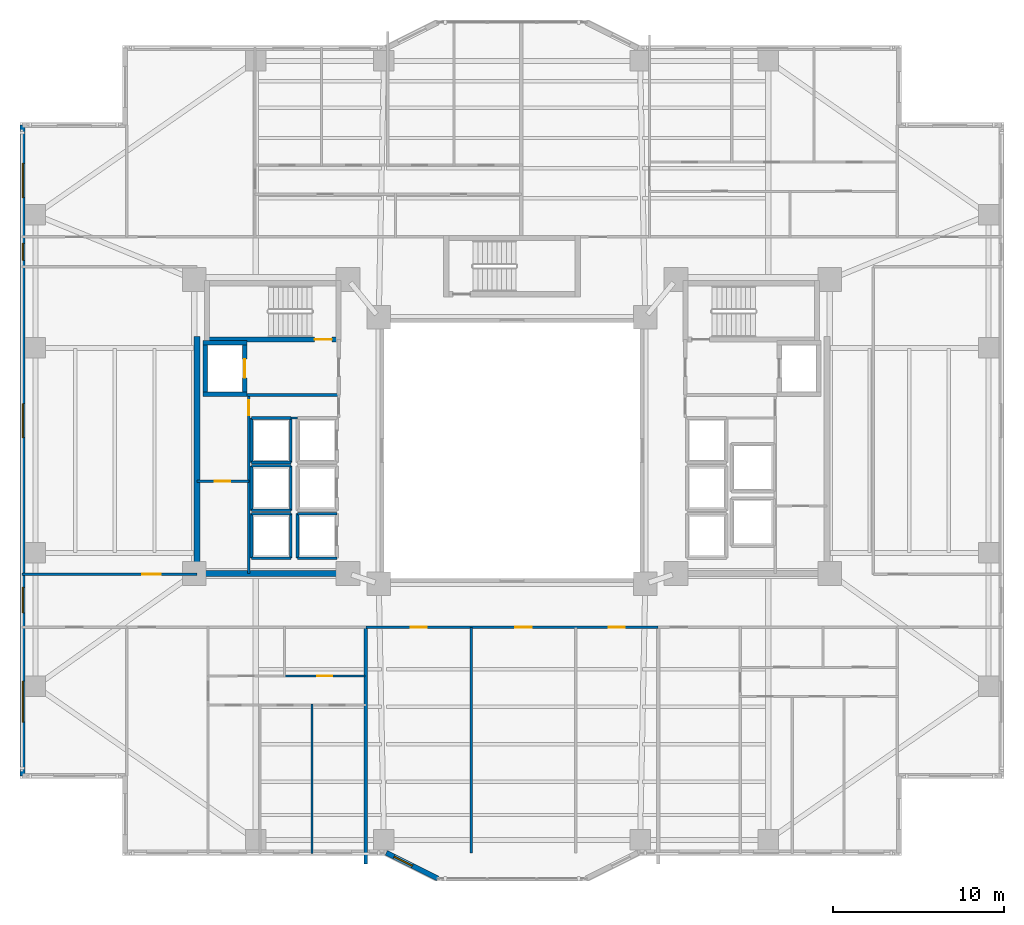
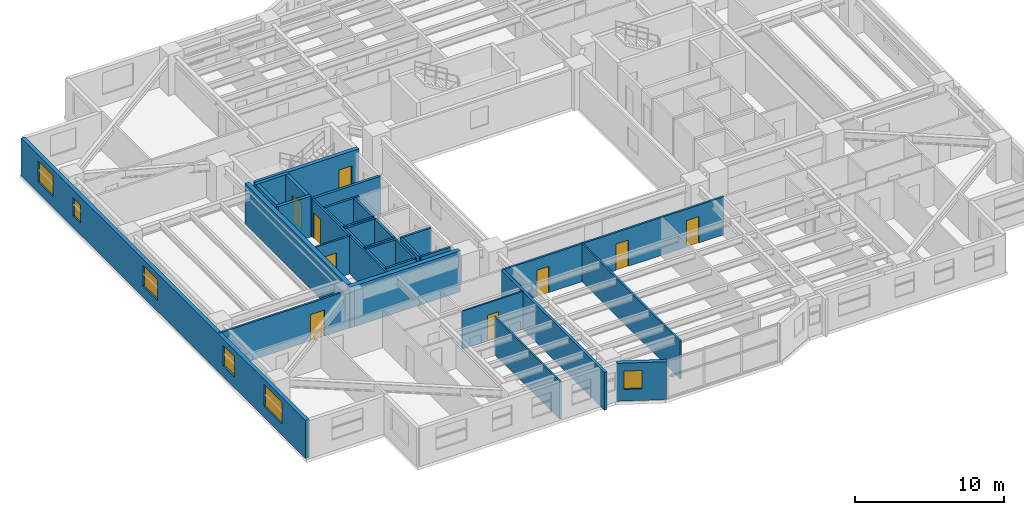
# One storey, part 10 of 20: 34 walls, 9 doors, 6 windows, 15 openings.
"""IFC4 building model written with IfcOpenShell, lengths in metres."""

from ifc_helpers import new_model, si_unit, direction, frame, frame_2d, origin, place, context, subcontext, project, spatial, rectangle, extrude, material, layer, layer_set, type_object, element, fill, save


model = new_model("IFC4")

# Units and contexts
model_context = context("Model", 3, precision=1e-05, world=origin(), true_north=direction((0.0, 1.0)))
body_context = subcontext(model_context, "Body", "Model", "MODEL_VIEW")
ifc_project = project(units=[si_unit("LENGTHUNIT", "METRE"), si_unit("AREAUNIT", "SQUARE_METRE"), si_unit("VOLUMEUNIT", "CUBIC_METRE"), si_unit("PLANEANGLEUNIT", "RADIAN"), si_unit("MASSUNIT", "GRAM", prefix="KILO")], contexts=[model_context])

# Site, building, storey
site_placement = place(None, origin())
site = spatial("IfcSite", under=ifc_project, at=site_placement, CompositionType="ELEMENT")
building_placement = place(site_placement, origin())
building = spatial("IfcBuilding", under=site, at=building_placement, Name="Tarnavaz Court Tower", CompositionType="ELEMENT")
storey_placement = place(building_placement, frame((0.0, 0.0, 34.050048828125)))
storey = spatial("IfcBuildingStorey", under=building, at=storey_placement, Name="L08", CompositionType="ELEMENT", Elevation=34.050048828125)

# Wall
ifc_material_1 = material(Name="Concrete C60/75", Category="concrete")
ifc_layer_1 = layer(ifc_material_1, 0.25)
ifc_layer_set_1 = layer_set([ifc_layer_1], Name="Concrete C60/75")
wall_type_1 = type_object("IfcWallType", Name="WL-CORE-250-C60", PredefinedType="SHEAR", material=ifc_layer_set_1)
wall_1_placement = place(storey_placement, frame((-17.949951171875, 3.175048828125, 0.0), z_axis=(0.0, 0.0, 1.0), x_axis=(0.0, 1.0, 0.0)))
element("IfcWall", 1, at=wall_1_placement, inside=storey, type_object=wall_type_1, Name="L08 Lift FL-W1 Shaft Wall 017", PredefinedType="SHEAR", context=body_context, shape_type="SweptSolid", body=[
    extrude(rectangle(XDim=3.25, YDim=0.25, at=frame_2d((1.625, 0.0))), origin(), (0.0, 0.0, 1.0), 3.349853515625),
])

# Wall, opening, door
wall_2_placement = place(storey_placement, frame((-15.64990234375, 3.175048828125, 0.0), z_axis=(0.0, 0.0, 1.0), x_axis=(0.0, 1.0, 0.0)))
wall_2 = element("IfcWall", 2, at=wall_2_placement, inside=storey, type_object=wall_type_1, Name="L08 Lift FL-W1 Shaft Wall 018", PredefinedType="SHEAR", context=body_context, shape_type="SweptSolid", body=[
    extrude(rectangle(XDim=3.25, YDim=0.25, at=frame_2d((1.625, 0.0))), origin(), (0.0, 0.0, 1.0), 3.349853515625),
])
opening_1_placement = place(wall_2_placement, frame((1.074951171875, 0.0, 0.0)))
opening_1 = element("IfcOpeningElement", 3, at=opening_1_placement, cuts=wall_2, Name="Opening LD1", PredefinedType="OPENING", context=body_context, shape_type="SweptSolid", body=[
    extrude(rectangle(XDim=1.10009765625, YDim=2.14990234375, at=frame_2d((0.550048828125, 1.074951171875))), frame((0.0, 0.135009765625, 0.0), z_axis=(0.0, -1.0, 0.0), x_axis=(1.0, 0.0, 0.0)), (0.0, 0.0, 1.0), 0.27001953125),
])
ifc_material_2 = material(Name="Stainless Steel", Category="steel")
door_type_1 = type_object("IfcDoorType", Name="DR-LD-1100", OperationType="NOTDEFINED", PredefinedType="DOOR", material=ifc_material_2)
door_1_placement = place(opening_1_placement, origin())
door_1 = element("IfcDoor", 4, at=door_1_placement, inside=storey, type_object=door_type_1, Name="L08 Lift Landing Door LD-FL-W1", OperationType="SLIDING_TO_LEFT", OverallHeight=2.14990234375, OverallWidth=1.10009765625, PredefinedType="DOOR", context=body_context, shape_type="SweptSolid", body=[
    extrude(rectangle(XDim=1.10009765625, YDim=2.14990234375, at=frame_2d((0.550048828125, 1.074951171875))), frame((0.0, 0.02490234375, 0.0), z_axis=(0.0, -1.0, 0.0), x_axis=(1.0, 0.0, 0.0)), (0.0, 0.0, 1.0), 0.050048828125),
])
fill(opening_1, door_1)

# Walls
for number, where, z_axis, x_axis, name in (
    (5, (-18.074951171875, 3.300048828125, 0.0), (0.0, 0.0, 1.0), (1.0, 0.0, 0.0), "L08 Lift FL-W1 Shaft Wall 019"),
    (6, (-18.074951171875, 6.300048828125, 0.0), (0.0, 0.0, 1.0), (1.0, 0.0, 0.0), "L08 Lift FL-W1 Shaft Wall 020"),
):
    element("IfcWall", number, at=place(storey_placement, frame(where, z_axis=z_axis, x_axis=x_axis)), inside=storey, type_object=wall_type_1, Name=name, PredefinedType="SHEAR", context=body_context, shape_type="SweptSolid", body=[
        extrude(rectangle(XDim=2.550048828125, YDim=0.25, at=frame_2d((1.27490234375, 0.0))), origin(), (0.0, 0.0, 1.0), 3.349853515625),
    ])

# Wall, opening, door
ifc_layer_2 = layer(ifc_material_1, 0.300048828125)
ifc_layer_set_2 = layer_set([ifc_layer_2], Name="Concrete C60/75")
wall_type_2 = type_object("IfcWallType", Name="WL-CORE-300-C60", PredefinedType="SHEAR", material=ifc_layer_set_2)
wall_3_placement = place(storey_placement, frame((-18.0, 6.5, 0.0), z_axis=(0.0, 0.0, 1.0), x_axis=(1.0, 0.0, 0.0)))
wall_3 = element("IfcWall", 7, at=wall_3_placement, inside=storey, type_object=wall_type_2, Name="L08 West Stair Core Wall 002", PredefinedType="SHEAR", context=body_context, shape_type="SweptSolid", body=[
    extrude(rectangle(XDim=8.0, YDim=0.300048828125, at=frame_2d((4.0, 0.0))), origin(), (0.0, 0.0, 1.0), 3.349853515625),
])
opening_2_placement = place(wall_3_placement, frame((6.449951171875, 0.0, 0.0)))
opening_2 = element("IfcOpeningElement", 8, at=opening_2_placement, cuts=wall_3, Name="Opening D01", PredefinedType="OPENING", context=body_context, shape_type="SweptSolid", body=[
    extrude(rectangle(XDim=1.0, YDim=2.14990234375, at=frame_2d((0.5, 1.074951171875))), frame((0.0, 0.159912109375, 0.0), z_axis=(0.0, -1.0, 0.0), x_axis=(1.0, 0.0, 0.0)), (0.0, 0.0, 1.0), 0.320068359375),
])
ifc_material_3 = material(Name="Fire-Rated Hardwood Timber Core", Category="wood")
door_type_2 = type_object("IfcDoorType", Name="DR-FD90-1000", OperationType="NOTDEFINED", PredefinedType="DOOR", material=ifc_material_3)
door_2_placement = place(opening_2_placement, origin())
door_2 = element("IfcDoor", 9, at=door_2_placement, inside=storey, type_object=door_type_2, Name="L08 Stair ST-W1 Exit Door", OperationType="SINGLE_SWING_LEFT", OverallHeight=2.14990234375, OverallWidth=1.0, PredefinedType="DOOR", context=body_context, shape_type="SweptSolid", body=[
    extrude(rectangle(XDim=1.0, YDim=2.14990234375, at=frame_2d((0.5, 1.074951171875))), frame((0.0, 0.02490234375, 0.0), z_axis=(0.0, -1.0, 0.0), x_axis=(1.0, 0.0, 0.0)), (0.0, 0.0, 1.0), 0.050048828125),
])
fill(opening_2, door_2)

# Walls
ifc_layer_3 = layer(ifc_material_1, 0.35009765625)
ifc_layer_set_3 = layer_set([ifc_layer_3], Name="Concrete C60/75")
wall_type_3 = type_object("IfcWallType", Name="WL-CORE-350-C60", PredefinedType="SHEAR", material=ifc_layer_set_3)
wall_4_placement = place(storey_placement, frame((-18.449951171875, -7.375, 0.0), z_axis=(0.0, 0.0, 1.0), x_axis=(0.0, 1.0, 0.0)))
element("IfcWall", 10, at=wall_4_placement, inside=storey, type_object=wall_type_3, Name="L08 West Core Shear Wall 069", PredefinedType="SHEAR", context=body_context, shape_type="SweptSolid", body=[
    extrude(rectangle(XDim=14.050048828125, YDim=0.35009765625, at=frame_2d((7.02490234375, 0.0))), origin(), (0.0, 0.0, 1.0), 3.349853515625),
])
wall_5_placement = place(storey_placement, frame((-18.625, -7.199951171875, 0.0), z_axis=(0.0, 0.0, 1.0), x_axis=(1.0, 0.0, 0.0)))
element("IfcWall", 11, at=wall_5_placement, inside=storey, type_object=wall_type_3, Name="L08 West Core South Shear Wall 070", PredefinedType="SHEAR", context=body_context, shape_type="SweptSolid", body=[
    extrude(rectangle(XDim=8.550048828125, YDim=0.35009765625, at=frame_2d((4.27490234375, 0.0))), origin(), (0.0, 0.0, 1.0), 3.349853515625),
])

# Wall, openings, windows
ifc_material_4 = material(Name="Precast Concrete C40/50", Category="concrete")
ifc_layer_4 = layer(ifc_material_4, 0.300048828125)
ifc_layer_set_4 = layer_set([ifc_layer_4], Name="Precast Concrete C40/50")
wall_type_4 = type_object("IfcWallType", Name="WL-EXT-300", PredefinedType="SOLIDWALL", material=ifc_layer_set_4)
wall_6_placement = place(storey_placement, frame((-28.64990234375, -19.050048828125, 0.0), z_axis=(0.0, 0.0, 1.0), x_axis=(0.0, 1.0, 0.0)))
wall_6 = element("IfcWall", 12, at=wall_6_placement, inside=storey, type_object=wall_type_4, Name="L08 Exterior Terracotta Facade Wall 02", PredefinedType="SOLIDWALL", context=body_context, shape_type="SweptSolid", body=[
    extrude(rectangle(XDim=38.10009765625, YDim=0.300048828125, at=frame_2d((19.050048828125, 0.0))), origin(), (0.0, 0.0, 1.0), 3.099853515625),
])
opening_3_placement = place(wall_6_placement, frame((3.14990234375, 0.0, 0.89990234375)))
opening_3 = element("IfcOpeningElement", 13, at=opening_3_placement, cuts=wall_6, Name="Opening W06", PredefinedType="OPENING", context=body_context, shape_type="SweptSolid", body=[
    extrude(rectangle(XDim=2.39990234375, YDim=1.800048828125, at=frame_2d((1.199951171875, 0.89990234375))), frame((0.0, 0.159912109375, 0.0), z_axis=(0.0, -1.0, 0.0), x_axis=(1.0, 0.0, 0.0)), (0.0, 0.0, 1.0), 0.320068359375),
])
opening_4_placement = place(wall_6_placement, frame((9.54248046875, 0.0, 0.89990234375)))
opening_4 = element("IfcOpeningElement", 14, at=opening_4_placement, cuts=wall_6, Name="Opening W03", PredefinedType="OPENING", context=body_context, shape_type="SweptSolid", body=[
    extrude(rectangle(XDim=1.5, YDim=1.64990234375, at=frame_2d((0.75, 0.824951171875))), frame((0.0, 0.159912109375, 0.0), z_axis=(0.0, -1.0, 0.0), x_axis=(1.0, 0.0, 0.0)), (0.0, 0.0, 1.0), 0.320068359375),
])
opening_5_placement = place(wall_6_placement, frame((19.800048828125, 0.0, 0.89990234375)))
opening_5 = element("IfcOpeningElement", 15, at=opening_5_placement, cuts=wall_6, Name="Opening W08", PredefinedType="OPENING", context=body_context, shape_type="SweptSolid", body=[
    extrude(rectangle(XDim=2.0, YDim=1.699951171875, at=frame_2d((1.0, 0.85009765625))), frame((0.0, 0.159912109375, 0.0), z_axis=(0.0, -1.0, 0.0), x_axis=(1.0, 0.0, 0.0)), (0.0, 0.0, 1.0), 0.320068359375),
])
opening_6_placement = place(wall_6_placement, frame((30.175048828125, 0.0, 0.949951171875)))
opening_6 = element("IfcOpeningElement", 16, at=opening_6_placement, cuts=wall_6, Name="Opening W14", PredefinedType="OPENING", context=body_context, shape_type="SweptSolid", body=[
    extrude(rectangle(XDim=1.0, YDim=1.5, at=frame_2d((0.5, 0.75))), frame((0.0, 0.159912109375, 0.0), z_axis=(0.0, -1.0, 0.0), x_axis=(1.0, 0.0, 0.0)), (0.0, 0.0, 1.0), 0.320068359375),
])
opening_7_placement = place(wall_6_placement, frame((33.85009765625, 0.0, 0.89990234375)))
opening_7 = element("IfcOpeningElement", 17, at=opening_7_placement, cuts=wall_6, Name="Opening W08", PredefinedType="OPENING", context=body_context, shape_type="SweptSolid", body=[
    extrude(rectangle(XDim=2.0, YDim=1.699951171875, at=frame_2d((1.0, 0.85009765625))), frame((0.0, 0.159912109375, 0.0), z_axis=(0.0, -1.0, 0.0), x_axis=(1.0, 0.0, 0.0)), (0.0, 0.0, 1.0), 0.320068359375),
])
ifc_material_5 = material(Name="Double-Glazed Solar Low-E Glass", Category="glass")
window_type_1 = type_object("IfcWindowType", Name="WN-APT-1000", PartitioningType="SINGLE_PANEL", PredefinedType="WINDOW", material=ifc_material_5)
window_1_placement = place(opening_6_placement, origin())
window_1 = element("IfcWindow", 18, at=window_1_placement, inside=storey, type_object=window_type_1, Name="L08 North-West Corner Corridor Window", OverallHeight=1.5, OverallWidth=1.0, PartitioningType="SINGLE_PANEL", PredefinedType="WINDOW", context=body_context, shape_type="SweptSolid", body=[
    extrude(rectangle(XDim=1.0, YDim=1.5, at=frame_2d((0.5, 0.75))), frame((0.0, 0.030029296875, 0.0), z_axis=(0.0, -1.0, 0.0), x_axis=(1.0, 0.0, 0.0)), (0.0, 0.0, 1.0), 0.06005859375),
])
fill(opening_6, window_1)
window_type_2 = type_object("IfcWindowType", Name="WN-APT-1500", PartitioningType="DOUBLE_PANEL_VERTICAL", PredefinedType="WINDOW", material=ifc_material_5)
window_2_placement = place(opening_4_placement, origin())
window_2 = element("IfcWindow", 19, at=window_2_placement, inside=storey, type_object=window_type_2, Name="L08 South-West Corner Corridor Window", OverallHeight=1.64990234375, OverallWidth=1.5, PartitioningType="SINGLE_PANEL", PredefinedType="WINDOW", context=body_context, shape_type="SweptSolid", body=[
    extrude(rectangle(XDim=1.5, YDim=1.64990234375, at=frame_2d((0.75, 0.824951171875))), frame((0.0, 0.030029296875, 0.0), z_axis=(0.0, -1.0, 0.0), x_axis=(1.0, 0.0, 0.0)), (0.0, 0.0, 1.0), 0.06005859375),
])
fill(opening_4, window_2)
window_type_3 = type_object("IfcWindowType", Name="WN-APT-2000", PartitioningType="DOUBLE_PANEL_VERTICAL", PredefinedType="WINDOW", material=ifc_material_5)
window_3_placement = place(opening_5_placement, origin())
window_3 = element("IfcWindow", 20, at=window_3_placement, inside=storey, type_object=window_type_3, Name="L08 West Wing Panoramic Study Gallery Window", OverallHeight=1.699951171875, OverallWidth=2.0, PartitioningType="SINGLE_PANEL", PredefinedType="WINDOW", context=body_context, shape_type="SweptSolid", body=[
    extrude(rectangle(XDim=2.0, YDim=1.699951171875, at=frame_2d((1.0, 0.85009765625))), frame((0.0, 0.030029296875, 0.0), z_axis=(0.0, -1.0, 0.0), x_axis=(1.0, 0.0, 0.0)), (0.0, 0.0, 1.0), 0.06005859375),
])
fill(opening_5, window_3)
window_4_placement = place(opening_7_placement, origin())
window_4 = element("IfcWindow", 21, at=window_4_placement, inside=storey, type_object=window_type_3, Name="L08 North-West Corner Sunroom Study Window", OverallHeight=1.699951171875, OverallWidth=2.0, PartitioningType="SINGLE_PANEL", PredefinedType="WINDOW", context=body_context, shape_type="SweptSolid", body=[
    extrude(rectangle(XDim=2.0, YDim=1.699951171875, at=frame_2d((1.0, 0.85009765625))), frame((0.0, 0.030029296875, 0.0), z_axis=(0.0, -1.0, 0.0), x_axis=(1.0, 0.0, 0.0)), (0.0, 0.0, 1.0), 0.06005859375),
])
fill(opening_7, window_4)
window_type_4 = type_object("IfcWindowType", Name="WN-APT-2400", PartitioningType="TRIPLE_PANEL_VERTICAL", PredefinedType="WINDOW", material=ifc_material_5)
window_5_placement = place(opening_3_placement, origin())
window_5 = element("IfcWindow", 22, at=window_5_placement, inside=storey, type_object=window_type_4, Name="L08 South-West Corner Reading Room Window", OverallHeight=1.800048828125, OverallWidth=2.39990234375, PartitioningType="SINGLE_PANEL", PredefinedType="WINDOW", context=body_context, shape_type="SweptSolid", body=[
    extrude(rectangle(XDim=2.39990234375, YDim=1.800048828125, at=frame_2d((1.199951171875, 0.89990234375))), frame((0.0, 0.030029296875, 0.0), z_axis=(0.0, -1.0, 0.0), x_axis=(1.0, 0.0, 0.0)), (0.0, 0.0, 1.0), 0.06005859375),
])
fill(opening_3, window_5)

# Wall, opening, window
wall_7_placement = place(storey_placement, frame((-4.35009765625, -25.050048828125, 0.0), z_axis=(0.0, 0.0, 1.0), x_axis=(-0.894427191, 0.4472135955, 0.0)))
wall_7 = element("IfcWall", 23, at=wall_7_placement, inside=storey, type_object=wall_type_4, Name="L08 Exterior Terracotta Facade Wall 18", PredefinedType="SOLIDWALL", context=body_context, shape_type="SweptSolid", body=[
    extrude(rectangle(XDim=3.35400390625, YDim=0.300048828125, at=frame_2d((1.677001953125, 0.0))), origin(), (0.0, 0.0, 1.0), 3.099853515625),
])
opening_8_placement = place(wall_7_placement, frame((1.65283203125, 0.0, 0.949951171875)))
opening_8 = element("IfcOpeningElement", 24, at=opening_8_placement, cuts=wall_7, Name="Opening W05", PredefinedType="OPENING", context=body_context, shape_type="SweptSolid", body=[
    extrude(rectangle(XDim=1.199951171875, YDim=1.5, at=frame_2d((0.60009765625, 0.75))), frame((0.0, 0.159912109375, 0.0), z_axis=(0.0, -1.0, 0.0), x_axis=(1.0, 0.0, 0.0)), (0.0, 0.0, 1.0), 0.320068359375),
])
window_type_5 = type_object("IfcWindowType", Name="WN-APT-1200", PartitioningType="SINGLE_PANEL", PredefinedType="WINDOW", material=ifc_material_5)
window_6_placement = place(opening_8_placement, origin())
window_6 = element("IfcWindow", 25, at=window_6_placement, inside=storey, type_object=window_type_5, Name="L08 Resident Fitness and Yoga Studio Window", OverallHeight=1.5, OverallWidth=1.199951171875, PartitioningType="SINGLE_PANEL", PredefinedType="WINDOW", context=body_context, shape_type="SweptSolid", body=[
    extrude(rectangle(XDim=1.199951171875, YDim=1.5, at=frame_2d((0.60009765625, 0.75))), frame((0.0, 0.030029296875, 0.0), z_axis=(0.0, -1.0, 0.0), x_axis=(1.0, 0.0, 0.0)), (0.0, 0.0, 1.0), 0.06005859375),
])
fill(opening_8, window_6)

# Wall, openings, doors
ifc_material_6 = material(Name="Gypsum Fire-Board on Acoustic Metal Stud", Category="masonry")
ifc_layer_5 = layer(ifc_material_6, 0.14990234375)
ifc_layer_set_5 = layer_set([ifc_layer_5], Name="Gypsum Fire-Board on Acoustic Metal Stud")
wall_type_5 = type_object("IfcWallType", Name="WL-FIRE-150", PredefinedType="PARTITIONING", material=ifc_layer_set_5)
wall_8_placement = place(storey_placement, frame((-8.550048828125, -10.35009765625, 0.0), z_axis=(0.0, 0.0, 1.0), x_axis=(1.0, 0.0, 0.0)))
wall_8 = element("IfcWall", 26, at=wall_8_placement, inside=storey, type_object=wall_type_5, Name="L08 South Ring Corridor Wall 085", PredefinedType="PARTITIONING", context=body_context, shape_type="SweptSolid", body=[
    extrude(rectangle(XDim=17.10009765625, YDim=0.14990234375, at=frame_2d((8.550048828125, 0.0))), origin(), (0.0, 0.0, 1.0), 3.099853515625),
])
opening_9_placement = place(wall_8_placement, frame((2.617919921875, 0.0, 0.0)))
opening_9 = element("IfcOpeningElement", 27, at=opening_9_placement, cuts=wall_8, Name="Opening D13", PredefinedType="OPENING", context=body_context, shape_type="SweptSolid", body=[
    extrude(rectangle(XDim=0.949951171875, YDim=2.14990234375, at=frame_2d((0.47509765625, 1.074951171875))), frame((0.0, 0.0849609375, 0.0), z_axis=(0.0, -1.0, 0.0), x_axis=(1.0, 0.0, 0.0)), (0.0, 0.0, 1.0), 0.169921875),
])
opening_10_placement = place(wall_8_placement, frame((8.75390625, 0.0, 0.0)))
opening_10 = element("IfcOpeningElement", 28, at=opening_10_placement, cuts=wall_8, Name="Opening D13", PredefinedType="OPENING", context=body_context, shape_type="SweptSolid", body=[
    extrude(rectangle(XDim=0.949951171875, YDim=2.14990234375, at=frame_2d((0.47509765625, 1.074951171875))), frame((0.0, 0.0849609375, 0.0), z_axis=(0.0, -1.0, 0.0), x_axis=(1.0, 0.0, 0.0)), (0.0, 0.0, 1.0), 0.169921875),
])
opening_11_placement = place(wall_8_placement, frame((14.2109375, 0.0, 0.0)))
opening_11 = element("IfcOpeningElement", 29, at=opening_11_placement, cuts=wall_8, Name="Opening D13", PredefinedType="OPENING", context=body_context, shape_type="SweptSolid", body=[
    extrude(rectangle(XDim=0.949951171875, YDim=2.14990234375, at=frame_2d((0.47509765625, 1.074951171875))), frame((0.0, 0.0849609375, 0.0), z_axis=(0.0, -1.0, 0.0), x_axis=(1.0, 0.0, 0.0)), (0.0, 0.0, 1.0), 0.169921875),
])
ifc_material_7 = material(Name="Engineered Oak Timber", Category="wood")
door_type_3 = type_object("IfcDoorType", Name="DR-INT-950", OperationType="NOTDEFINED", PredefinedType="DOOR", material=ifc_material_7)
door_3_placement = place(opening_9_placement, origin())
door_3 = element("IfcDoor", 30, at=door_3_placement, inside=storey, type_object=door_type_3, Name="L08 Resident Fitness and Yoga Studio Door", OperationType="SINGLE_SWING_RIGHT", OverallHeight=2.14990234375, OverallWidth=0.949951171875, PredefinedType="DOOR", context=body_context, shape_type="SweptSolid", body=[
    extrude(rectangle(XDim=0.949951171875, YDim=2.14990234375, at=frame_2d((0.47509765625, 1.074951171875))), frame((0.0, 0.02490234375, 0.0), z_axis=(0.0, -1.0, 0.0), x_axis=(1.0, 0.0, 0.0)), (0.0, 0.0, 1.0), 0.050048828125),
])
fill(opening_9, door_3)
door_4_placement = place(opening_10_placement, origin())
door_4 = element("IfcDoor", 31, at=door_4_placement, inside=storey, type_object=door_type_3, Name="L08 Children Playroom and Daycare Door", OperationType="SINGLE_SWING_LEFT", OverallHeight=2.14990234375, OverallWidth=0.949951171875, PredefinedType="DOOR", context=body_context, shape_type="SweptSolid", body=[
    extrude(rectangle(XDim=0.949951171875, YDim=2.14990234375, at=frame_2d((0.47509765625, 1.074951171875))), frame((0.0, 0.02490234375, 0.0), z_axis=(0.0, -1.0, 0.0), x_axis=(1.0, 0.0, 0.0)), (0.0, 0.0, 1.0), 0.050048828125),
])
fill(opening_10, door_4)
door_5_placement = place(opening_11_placement, origin())
door_5 = element("IfcDoor", 32, at=door_5_placement, inside=storey, type_object=door_type_3, Name="L08 Shared Community Tea Pantry Door", OperationType="SINGLE_SWING_RIGHT", OverallHeight=2.14990234375, OverallWidth=0.949951171875, PredefinedType="DOOR", context=body_context, shape_type="SweptSolid", body=[
    extrude(rectangle(XDim=0.949951171875, YDim=2.14990234375, at=frame_2d((0.47509765625, 1.074951171875))), frame((0.0, 0.02490234375, 0.0), z_axis=(0.0, -1.0, 0.0), x_axis=(1.0, 0.0, 0.0)), (0.0, 0.0, 1.0), 0.050048828125),
])
fill(opening_11, door_5)

# Wall, opening, door
wall_9_placement = place(storey_placement, frame((-28.679931640625, -7.25, 0.0), z_axis=(0.0, 0.0, 1.0), x_axis=(1.0, 0.0, 0.0)))
wall_9 = element("IfcWall", 33, at=wall_9_placement, inside=storey, type_object=wall_type_5, Name="L08 Interior Partition 121", PredefinedType="PARTITIONING", context=body_context, shape_type="SweptSolid", body=[
    extrude(rectangle(XDim=10.22998046875, YDim=0.14990234375, at=frame_2d((5.114990234375, 0.0))), origin(), (0.0, 0.0, 1.0), 3.099853515625),
])
opening_12_placement = place(wall_9_placement, frame((7.030029296875, 0.0, 0.0)))
opening_12 = element("IfcOpeningElement", 34, at=opening_12_placement, cuts=wall_9, Name="Opening D12", PredefinedType="OPENING", context=body_context, shape_type="SweptSolid", body=[
    extrude(rectangle(XDim=1.080078125, YDim=2.14990234375, at=frame_2d((0.5400390625, 1.074951171875))), frame((0.0, 0.0849609375, 0.0), z_axis=(0.0, -1.0, 0.0), x_axis=(1.0, 0.0, 0.0)), (0.0, 0.0, 1.0), 0.169921875),
])
door_type_4 = type_object("IfcDoorType", Name="DR-INT-1100", OperationType="NOTDEFINED", PredefinedType="DOOR", material=ifc_material_7)
door_6_placement = place(opening_12_placement, origin())
door_6 = element("IfcDoor", 35, at=door_6_placement, inside=storey, type_object=door_type_4, Name="L08 West Study Gallery Door", OperationType="SINGLE_SWING_LEFT", OverallHeight=2.14990234375, OverallWidth=1.080078125, PredefinedType="DOOR", context=body_context, shape_type="SweptSolid", body=[
    extrude(rectangle(XDim=1.080078125, YDim=2.14990234375, at=frame_2d((0.5400390625, 1.074951171875))), frame((0.0, 0.02490234375, 0.0), z_axis=(0.0, -1.0, 0.0), x_axis=(1.0, 0.0, 0.0)), (0.0, 0.0, 1.0), 0.050048828125),
])
fill(opening_12, door_6)

# Walls
ifc_material_8 = material(Name="Autoclaved Aerated Concrete Blockwork", Category="masonry")
ifc_layer_6 = layer(ifc_material_8, 0.199951171875)
ifc_layer_set_6 = layer_set([ifc_layer_6], Name="Autoclaved Aerated Concrete Blockwork")
wall_type_6 = type_object("IfcWallType", Name="WL-FIRE-200", PredefinedType="SOLIDWALL", material=ifc_layer_set_6)
wall_10_placement = place(storey_placement, frame((-15.550048828125, 3.25, 0.0), z_axis=(0.0, 0.0, 1.0), x_axis=(1.0, 0.0, 0.0)))
element("IfcWall", 36, at=wall_10_placement, inside=storey, type_object=wall_type_6, Name="L08 West Firefighting Lobby Wall 013", PredefinedType="SOLIDWALL", context=body_context, shape_type="SweptSolid", body=[
    extrude(rectangle(XDim=5.400146484375, YDim=0.199951171875, at=frame_2d((2.7001953125, 0.0))), origin(), (0.0, 0.0, 1.0), 3.099853515625),
])
wall_11_placement = place(storey_placement, frame((-8.550048828125, -24.2041015625, 0.0), z_axis=(0.0, 0.0, 1.0), x_axis=(0.0, 1.0, 0.0)))
element("IfcWall", 37, at=wall_11_placement, inside=storey, type_object=wall_type_6, Name="L08 Party Wall 117", PredefinedType="SOLIDWALL", context=body_context, shape_type="SweptSolid", body=[
    extrude(rectangle(XDim=13.85400390625, YDim=0.199951171875, at=frame_2d((6.927001953125, 0.0))), origin(), (0.0, 0.0, 1.0), 3.099853515625),
])

# Wall, opening, door
ifc_material_9 = material(Name="Moisture-Resistant Gypsum Board Partition", Category="masonry")
ifc_layer_7 = layer(ifc_material_9, 0.1201171875)
ifc_layer_set_7 = layer_set([ifc_layer_7], Name="Moisture-Resistant Gypsum Board Partition")
wall_type_7 = type_object("IfcWallType", Name="WL-PART-120", PredefinedType="PARTITIONING", material=ifc_layer_set_7)
wall_12_placement = place(storey_placement, frame((-13.31494140625, -13.199951171875, 0.0), z_axis=(0.0, 0.0, 1.0), x_axis=(1.0, 0.0, 0.0)))
wall_12 = element("IfcWall", 38, at=wall_12_placement, inside=storey, type_object=wall_type_7, Name="L08 Interior Partition 105", PredefinedType="PARTITIONING", context=body_context, shape_type="SweptSolid", body=[
    extrude(rectangle(XDim=4.71484375, YDim=0.1201171875, at=frame_2d((2.357421875, 0.0))), origin(), (0.0, 0.0, 1.0), 3.099853515625),
])
opening_13_placement = place(wall_12_placement, frame((1.9169921875, 0.0, 0.0)))
opening_13 = element("IfcOpeningElement", 39, at=opening_13_placement, cuts=wall_12, Name="Opening D14", PredefinedType="OPENING", context=body_context, shape_type="SweptSolid", body=[
    extrude(rectangle(XDim=0.8798828125, YDim=2.10009765625, at=frame_2d((0.43994140625, 1.050048828125))), frame((0.0, 0.070068359375, 0.0), z_axis=(0.0, -1.0, 0.0), x_axis=(1.0, 0.0, 0.0)), (0.0, 0.0, 1.0), 0.14013671875),
])
door_type_5 = type_object("IfcDoorType", Name="DR-INT-900", OperationType="NOTDEFINED", PredefinedType="DOOR", material=ifc_material_7)
door_7_placement = place(opening_13_placement, origin())
door_7 = element("IfcDoor", 40, at=door_7_placement, inside=storey, type_object=door_type_5, Name="L08 Flat 03 Bathroom Door", OperationType="SINGLE_SWING_LEFT", OverallHeight=2.10009765625, OverallWidth=0.8798828125, PredefinedType="DOOR", context=body_context, shape_type="SweptSolid", body=[
    extrude(rectangle(XDim=0.8798828125, YDim=2.10009765625, at=frame_2d((0.43994140625, 1.050048828125))), frame((0.0, 0.02490234375, 0.0), z_axis=(0.0, -1.0, 0.0), x_axis=(1.0, 0.0, 0.0)), (0.0, 0.0, 1.0), 0.050048828125),
])
fill(opening_13, door_7)

# Walls
wall_13_placement = place(storey_placement, frame((-11.702880859375, -23.60009765625, 0.0), z_axis=(0.0, 0.0, 1.0), x_axis=(0.0, 1.0, 0.0)))
element("IfcWall", 41, at=wall_13_placement, inside=storey, type_object=wall_type_7, Name="L08 Interior Partition 109", PredefinedType="PARTITIONING", context=body_context, shape_type="SweptSolid", body=[
    extrude(rectangle(XDim=8.75, YDim=0.1201171875, at=frame_2d((4.375, 0.0))), origin(), (0.0, 0.0, 1.0), 3.099853515625),
])
ifc_material_10 = material(Name="Gypsum Plasterboard Acoustic Partition", Category="masonry")
ifc_layer_8 = layer(ifc_material_10, 0.139892578125)
ifc_layer_set_8 = layer_set([ifc_layer_8], Name="Gypsum Plasterboard Acoustic Partition")
wall_type_8 = type_object("IfcWallType", Name="WL-PART-150", PredefinedType="PARTITIONING", material=ifc_layer_set_8)
wall_14_placement = place(storey_placement, frame((-12.949951171875, 1.89990234375, 0.0), z_axis=(0.0, 0.0, 1.0), x_axis=(1.0, 0.0, 0.0)))
element("IfcWall", 42, at=wall_14_placement, inside=storey, type_object=wall_type_8, Name="L08 Interior Partition 073", PredefinedType="PARTITIONING", context=body_context, shape_type="SweptSolid", body=[
    extrude(rectangle(XDim=0.39990234375, YDim=0.139892578125, at=frame_2d((0.199951171875, 0.0))), origin(), (0.0, 0.0, 1.0), 3.099853515625),
])

# Wall, opening, door
wall_15_placement = place(storey_placement, frame((-15.39990234375, -7.199951171875, 0.0), z_axis=(0.0, 0.0, 1.0), x_axis=(0.0, 1.0, 0.0)))
wall_15 = element("IfcWall", 43, at=wall_15_placement, inside=storey, type_object=wall_type_8, Name="L08 Interior Partition 075", PredefinedType="PARTITIONING", context=body_context, shape_type="SweptSolid", body=[
    extrude(rectangle(XDim=10.449951171875, YDim=0.139892578125, at=frame_2d((5.22509765625, 0.0))), origin(), (0.0, 0.0, 1.0), 3.099853515625),
])
opening_14_placement = place(wall_15_placement, frame((9.25, 0.0, 0.0)))
opening_14 = element("IfcOpeningElement", 44, at=opening_14_placement, cuts=wall_15, Name="Opening D09", PredefinedType="OPENING", context=body_context, shape_type="SweptSolid", body=[
    extrude(rectangle(XDim=0.89990234375, YDim=2.080078125, at=frame_2d((0.449951171875, 1.0400390625))), frame((0.0, 0.079833984375, 0.0), z_axis=(0.0, -1.0, 0.0), x_axis=(1.0, 0.0, 0.0)), (0.0, 0.0, 1.0), 0.159912109375),
])
door_type_6 = type_object("IfcDoorType", Name="DR-FD30-900", OperationType="NOTDEFINED", PredefinedType="DOOR", material=ifc_material_3)
door_8_placement = place(opening_14_placement, origin())
door_8 = element("IfcDoor", 45, at=door_8_placement, inside=storey, type_object=door_type_6, Name="L08 West Telecom Room Door", OperationType="SINGLE_SWING_RIGHT", OverallHeight=2.080078125, OverallWidth=0.89990234375, PredefinedType="DOOR", context=body_context, shape_type="SweptSolid", body=[
    extrude(rectangle(XDim=0.89990234375, YDim=2.080078125, at=frame_2d((0.449951171875, 1.0400390625))), frame((0.0, 0.02490234375, 0.0), z_axis=(0.0, -1.0, 0.0), x_axis=(1.0, 0.0, 0.0)), (0.0, 0.0, 1.0), 0.050048828125),
])
fill(opening_14, door_8)

wall_16_placement = place(storey_placement, frame((-18.449951171875, -1.800048828125, 0.0), z_axis=(0.0, 0.0, 1.0), x_axis=(1.0, 0.0, 0.0)))
wall_16 = element("IfcWall", 46, at=wall_16_placement, inside=storey, type_object=wall_type_8, Name="L08 Interior Partition 076", PredefinedType="PARTITIONING", context=body_context, shape_type="SweptSolid", body=[
    extrude(rectangle(XDim=3.050048828125, YDim=0.139892578125, at=frame_2d((1.52490234375, 0.0))), origin(), (0.0, 0.0, 1.0), 3.099853515625),
])
opening_15_placement = place(wall_16_placement, frame((1.050048828125, 0.0, 0.0)))
opening_15 = element("IfcOpeningElement", 47, at=opening_15_placement, cuts=wall_16, Name="Opening D09", PredefinedType="OPENING", context=body_context, shape_type="SweptSolid", body=[
    extrude(rectangle(XDim=0.89990234375, YDim=2.080078125, at=frame_2d((0.449951171875, 1.0400390625))), frame((0.0, 0.079833984375, 0.0), z_axis=(0.0, -1.0, 0.0), x_axis=(1.0, 0.0, 0.0)), (0.0, 0.0, 1.0), 0.159912109375),
])
door_9_placement = place(opening_15_placement, origin())
door_9 = element("IfcDoor", 48, at=door_9_placement, inside=storey, type_object=door_type_6, Name="L08 West Electrical Room Door", OperationType="SINGLE_SWING_LEFT", OverallHeight=2.080078125, OverallWidth=0.89990234375, PredefinedType="DOOR", context=body_context, shape_type="SweptSolid", body=[
    extrude(rectangle(XDim=0.89990234375, YDim=2.080078125, at=frame_2d((0.449951171875, 1.0400390625))), frame((0.0, 0.02490234375, 0.0), z_axis=(0.0, -1.0, 0.0), x_axis=(1.0, 0.0, 0.0)), (0.0, 0.0, 1.0), 0.050048828125),
])
fill(opening_15, door_9)

# Walls
wall_17_placement = place(storey_placement, frame((-2.3740234375, -23.550048828125, 0.0), z_axis=(0.0, 0.0, 1.0), x_axis=(0.0, 1.0, 0.0)))
element("IfcWall", 49, at=wall_17_placement, inside=storey, type_object=wall_type_8, Name="L08 Interior Partition 119", PredefinedType="PARTITIONING", context=body_context, shape_type="SweptSolid", body=[
    extrude(rectangle(XDim=13.199951171875, YDim=0.139892578125, at=frame_2d((6.60009765625, 0.0))), origin(), (0.0, 0.0, 1.0), 3.099853515625),
])
ifc_layer_9 = layer(ifc_material_8, 0.159912109375)
ifc_layer_set_9 = layer_set([ifc_layer_9], Name="Autoclaved Aerated Concrete Blockwork")
wall_type_9 = type_object("IfcWallType", Name="WL-SHAFT-150", PredefinedType="SOLIDWALL", material=ifc_layer_set_9)
wall_18_placement = place(storey_placement, frame((-12.550048828125, -6.300048828125, 0.0), z_axis=(0.0, 0.0, 1.0), x_axis=(0.0, 1.0, 0.0)))
element("IfcWall", 50, at=wall_18_placement, inside=storey, type_object=wall_type_9, Name="L08 Lift PL-L1 Shaft Wall 021", PredefinedType="SOLIDWALL", context=body_context, shape_type="SweptSolid", body=[
    extrude(rectangle(XDim=2.60009765625, YDim=0.159912109375, at=frame_2d((1.300048828125, 0.0))), origin(), (0.0, 0.0, 1.0), 3.099853515625),
])
for number, where, z_axis, x_axis, name in (
    (51, (-12.550048828125, -6.300048828125, 0.0), (0.0, 0.0, 1.0), (1.0, 0.0, 0.0), "L08 Lift PL-L1 Shaft Wall 023"),
    (52, (-12.550048828125, -3.699951171875, 0.0), (0.0, 0.0, 1.0), (1.0, 0.0, 0.0), "L08 Lift PL-L1 Shaft Wall 024"),
):
    element("IfcWall", number, at=place(storey_placement, frame(where, z_axis=z_axis, x_axis=x_axis)), inside=storey, type_object=wall_type_9, Name=name, PredefinedType="SOLIDWALL", context=body_context, shape_type="SweptSolid", body=[
        extrude(rectangle(XDim=2.300048828125, YDim=0.159912109375, at=frame_2d((1.14990234375, 0.0))), origin(), (0.0, 0.0, 1.0), 3.099853515625),
    ])
for number, where, z_axis, x_axis, name in (
    (53, (-15.25, -6.300048828125, 0.0), (0.0, 0.0, 1.0), (0.0, 1.0, 0.0), "L08 Lift PL-H1 Shaft Wall 033"),
    (54, (-12.949951171875, -6.300048828125, 0.0), (0.0, 0.0, 1.0), (0.0, 1.0, 0.0), "L08 Lift PL-H1 Shaft Wall 034"),
):
    element("IfcWall", number, at=place(storey_placement, frame(where, z_axis=z_axis, x_axis=x_axis)), inside=storey, type_object=wall_type_9, Name=name, PredefinedType="SOLIDWALL", context=body_context, shape_type="SweptSolid", body=[
        extrude(rectangle(XDim=2.60009765625, YDim=0.159912109375, at=frame_2d((1.300048828125, 0.0))), origin(), (0.0, 0.0, 1.0), 3.099853515625),
    ])
for number, where, z_axis, x_axis, name in (
    (55, (-15.25, -6.300048828125, 0.0), (0.0, 0.0, 1.0), (1.0, 0.0, 0.0), "L08 Lift PL-H1 Shaft Wall 035"),
    (56, (-15.25, -3.699951171875, 0.0), (0.0, 0.0, 1.0), (1.0, 0.0, 0.0), "L08 Lift PL-H1 Shaft Wall 036"),
):
    element("IfcWall", number, at=place(storey_placement, frame(where, z_axis=z_axis, x_axis=x_axis)), inside=storey, type_object=wall_type_9, Name=name, PredefinedType="SOLIDWALL", context=body_context, shape_type="SweptSolid", body=[
        extrude(rectangle(XDim=2.300048828125, YDim=0.159912109375, at=frame_2d((1.14990234375, 0.0))), origin(), (0.0, 0.0, 1.0), 3.099853515625),
    ])
for number, where, z_axis, x_axis, name in (
    (57, (-15.25, -3.5, 0.0), (0.0, 0.0, 1.0), (0.0, 1.0, 0.0), "L08 Lift PL-H2 Shaft Wall 037"),
    (58, (-12.949951171875, -3.5, 0.0), (0.0, 0.0, 1.0), (0.0, 1.0, 0.0), "L08 Lift PL-H2 Shaft Wall 038"),
):
    element("IfcWall", number, at=place(storey_placement, frame(where, z_axis=z_axis, x_axis=x_axis)), inside=storey, type_object=wall_type_9, Name=name, PredefinedType="SOLIDWALL", context=body_context, shape_type="SweptSolid", body=[
        extrude(rectangle(XDim=2.60009765625, YDim=0.159912109375, at=frame_2d((1.300048828125, 0.0))), origin(), (0.0, 0.0, 1.0), 3.099853515625),
    ])
for number, where, z_axis, x_axis, name in (
    (59, (-15.25, -3.5, 0.0), (0.0, 0.0, 1.0), (1.0, 0.0, 0.0), "L08 Lift PL-H2 Shaft Wall 039"),
    (60, (-15.25, -0.89990234375, 0.0), (0.0, 0.0, 1.0), (1.0, 0.0, 0.0), "L08 Lift PL-H2 Shaft Wall 040"),
):
    element("IfcWall", number, at=place(storey_placement, frame(where, z_axis=z_axis, x_axis=x_axis)), inside=storey, type_object=wall_type_9, Name=name, PredefinedType="SOLIDWALL", context=body_context, shape_type="SweptSolid", body=[
        extrude(rectangle(XDim=2.300048828125, YDim=0.159912109375, at=frame_2d((1.14990234375, 0.0))), origin(), (0.0, 0.0, 1.0), 3.099853515625),
    ])
for number, where, z_axis, x_axis, name in (
    (61, (-15.25, -0.699951171875, 0.0), (0.0, 0.0, 1.0), (0.0, 1.0, 0.0), "L08 Lift PL-H3 Shaft Wall 041"),
    (62, (-12.949951171875, -0.699951171875, 0.0), (0.0, 0.0, 1.0), (0.0, 1.0, 0.0), "L08 Lift PL-H3 Shaft Wall 042"),
):
    element("IfcWall", number, at=place(storey_placement, frame(where, z_axis=z_axis, x_axis=x_axis)), inside=storey, type_object=wall_type_9, Name=name, PredefinedType="SOLIDWALL", context=body_context, shape_type="SweptSolid", body=[
        extrude(rectangle(XDim=2.599853515625, YDim=0.159912109375, at=frame_2d((1.2998046875, 0.0))), origin(), (0.0, 0.0, 1.0), 3.099853515625),
    ])
for number, where, z_axis, x_axis, name in (
    (63, (-15.25, -0.699951171875, 0.0), (0.0, 0.0, 1.0), (1.0, 0.0, 0.0), "L08 Lift PL-H3 Shaft Wall 043"),
    (64, (-15.25, 1.89990234375, 0.0), (0.0, 0.0, 1.0), (1.0, 0.0, 0.0), "L08 Lift PL-H3 Shaft Wall 044"),
):
    element("IfcWall", number, at=place(storey_placement, frame(where, z_axis=z_axis, x_axis=x_axis)), inside=storey, type_object=wall_type_9, Name=name, PredefinedType="SOLIDWALL", context=body_context, shape_type="SweptSolid", body=[
        extrude(rectangle(XDim=2.300048828125, YDim=0.159912109375, at=frame_2d((1.14990234375, 0.0))), origin(), (0.0, 0.0, 1.0), 3.099853515625),
    ])

save(model, "model.ifc")
